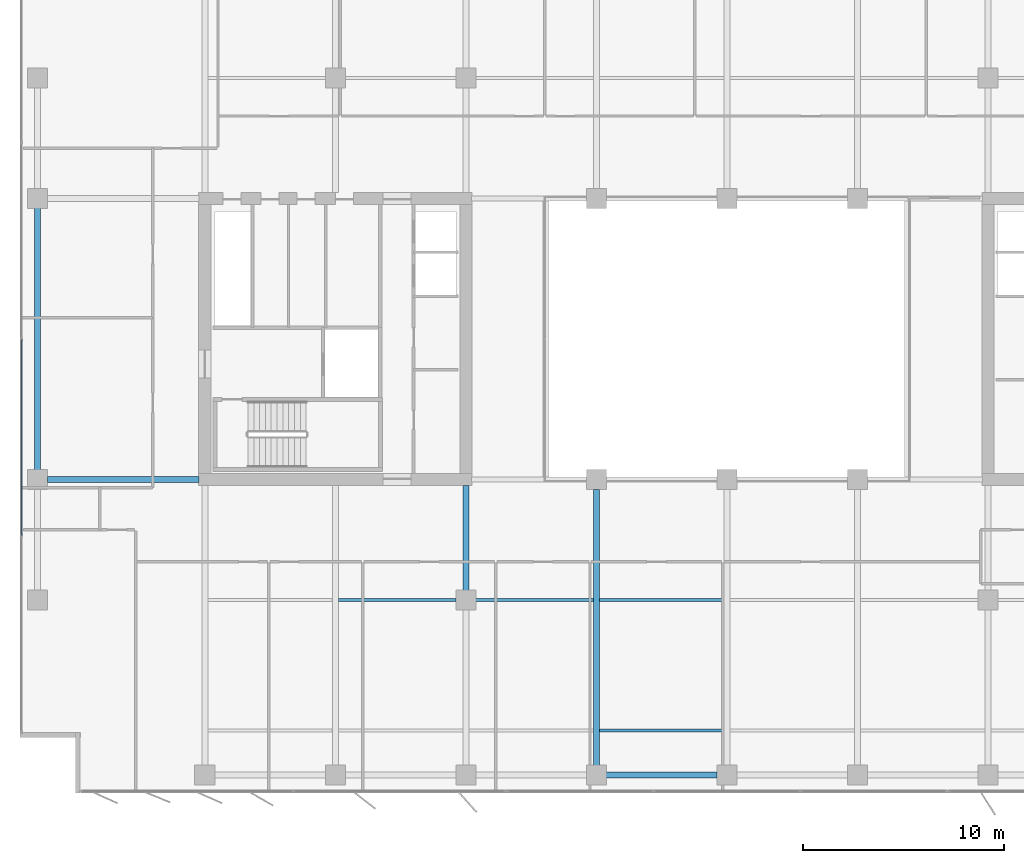
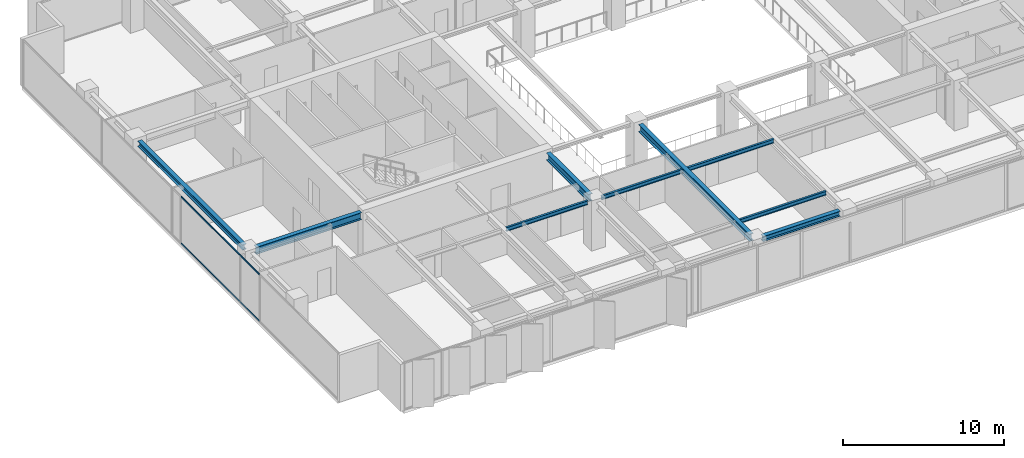
# One storey, part 3 of 22: 9 beams, 2 members, 1 element without a shape of its own.
"""IFC4 building model written with IfcOpenShell, lengths in metres."""

from ifc_helpers import new_model, si_unit, direction, frame, origin, origin_2d, place, context, subcontext, project, spatial, rectangle, i_section, extrude, material, layer, layer_set, material_profile, profile_set, type_object, element, aggregate, save


model = new_model("IFC4")

# Units and contexts
model_context = context("Model", 3, precision=1e-05, world=origin(), true_north=direction((0.0, 1.0)))
body_context = subcontext(model_context, "Body", "Model", "MODEL_VIEW")
ifc_project = project(units=[si_unit("LENGTHUNIT", "METRE"), si_unit("AREAUNIT", "SQUARE_METRE"), si_unit("VOLUMEUNIT", "CUBIC_METRE"), si_unit("PLANEANGLEUNIT", "RADIAN"), si_unit("MASSUNIT", "GRAM", prefix="KILO")], contexts=[model_context])

# Site, building, storey
site_placement = place(None, origin())
site = spatial("IfcSite", under=ifc_project, at=site_placement, CompositionType="ELEMENT")
building_placement = place(site_placement, origin())
building = spatial("IfcBuilding", under=site, at=building_placement, Name="Putna Gate Headquarters", CompositionType="ELEMENT")
storey_placement = place(building_placement, frame((0.0, 0.0, 182.199951171875)))
storey = spatial("IfcBuildingStorey", under=building, at=storey_placement, Name="L45", CompositionType="ELEMENT", Elevation=182.199951171875)

# Beams
ifc_material_1 = material(Name="Steel S355J2", Category="steel")
ifc_material_profile_1 = material_profile(ifc_material_1, i_section(OverallWidth=0.300048828125, OverallDepth=0.550048828125, WebThickness=0.014892578125, FlangeThickness=0.029052734375, at=origin_2d()), Name="Steel S355J2")
ifc_profile_set_1 = profile_set([ifc_material_profile_1], Name="Steel S355J2")
beam_type_1 = type_object("IfcBeamType", Name="BM-GIRD-Z3-HEB550", PredefinedType="USERDEFINED", material=ifc_profile_set_1)
beam_1_placement = place(storey_placement, frame((5.16796875, 19.0, 3.297119140625), z_axis=(1.0, 0.0, 0.0), x_axis=(0.0, 1.0, 0.0)))
element("IfcBeam", 1, at=beam_1_placement, inside=storey, type_object=beam_type_1, Name="L45 West Wing Girder Y19", ObjectType="GIRDER", PredefinedType="USERDEFINED", context=body_context, shape_type="SweptSolid", body=[
    extrude(i_section(OverallWidth=0.300048828125, OverallDepth=0.550048828125, WebThickness=0.014892578125, FlangeThickness=0.029052734375, at=origin_2d()), origin(), (0.0, 0.0, 1.0), 7.547119140625),
])
beam_2_placement = place(storey_placement, frame((26.0, 13.488037109375, 3.297119140625), z_axis=(0.0, 1.0, 0.0), x_axis=(-1.0, 0.0, 0.0)))
element("IfcBeam", 2, at=beam_2_placement, inside=storey, type_object=beam_type_1, Name="L45 South Primary Girder X26-2", ObjectType="GIRDER", PredefinedType="USERDEFINED", context=body_context, shape_type="SweptSolid", body=[
    extrude(i_section(OverallWidth=0.300048828125, OverallDepth=0.550048828125, WebThickness=0.014892578125, FlangeThickness=0.029052734375, at=origin_2d()), origin(), (0.0, 0.0, 1.0), 5.22705078125),
])
beam_3_placement = place(storey_placement, frame((32.5, 4.76806640625, 3.297119140625), z_axis=(0.0, 1.0, 0.0), x_axis=(-1.0, 0.0, 0.0)))
element("IfcBeam", 3, at=beam_3_placement, inside=storey, type_object=beam_type_1, Name="L45 South Primary Girder X32", ObjectType="GIRDER", PredefinedType="USERDEFINED", context=body_context, shape_type="SweptSolid", body=[
    extrude(i_section(OverallWidth=0.300048828125, OverallDepth=0.550048828125, WebThickness=0.014892578125, FlangeThickness=0.029052734375, at=origin_2d()), origin(), (0.0, 0.0, 1.0), 13.743896484375),
])
ifc_material_profile_2 = material_profile(ifc_material_1, i_section(OverallWidth=0.14990234375, OverallDepth=0.300048828125, WebThickness=0.007080078125, FlangeThickness=0.0107421875, at=origin_2d()), Name="Steel S355J2")
ifc_profile_set_2 = profile_set([ifc_material_profile_2], Name="Steel S355J2")
beam_type_2 = type_object("IfcBeamType", Name="BM-SEC-Z3-IPE300", PredefinedType="JOIST", material=ifc_profile_set_2)
for number, where, z_axis, x_axis, name in (
    (4, (19.654052734375, 13.0, 3.422119140625), (1.0, 0.0, 0.0), (0.0, 1.0, 0.0), "L45 South Secondary Beam 2"),
    (5, (26.488037109375, 13.0, 3.422119140625), (1.0, 0.0, 0.0), (0.0, 1.0, 0.0), "L45 South Secondary Beam 3"),
):
    element("IfcBeam", number, at=place(storey_placement, frame(where, z_axis=z_axis, x_axis=x_axis)), inside=storey, type_object=beam_type_2, Name=name, PredefinedType="JOIST", context=body_context, shape_type="SweptSolid", body=[
        extrude(i_section(OverallWidth=0.14990234375, OverallDepth=0.300048828125, WebThickness=0.007080078125, FlangeThickness=0.0107421875, at=origin_2d()), origin(), (0.0, 0.0, 1.0), 5.85791015625),
    ])
for number, where, z_axis, x_axis, name in (
    (6, (32.654052734375, 6.5, 3.422119140625), (1.0, 0.0, 0.0), (0.0, 1.0, 0.0), "L45 South Secondary Beam 4"),
    (7, (32.654052734375, 13.0, 3.422119140625), (1.0, 0.0, 0.0), (0.0, 1.0, 0.0), "L45 South Secondary Beam 4"),
):
    element("IfcBeam", number, at=place(storey_placement, frame(where, z_axis=z_axis, x_axis=x_axis)), inside=storey, type_object=beam_type_2, Name=name, PredefinedType="JOIST", context=body_context, shape_type="SweptSolid", body=[
        extrude(i_section(OverallWidth=0.14990234375, OverallDepth=0.300048828125, WebThickness=0.007080078125, FlangeThickness=0.0107421875, at=origin_2d()), origin(), (0.0, 0.0, 1.0), 6.19189453125),
    ])
ifc_material_profile_3 = material_profile(ifc_material_1, i_section(OverallWidth=0.300048828125, OverallDepth=0.39990234375, WebThickness=0.013427734375, FlangeThickness=0.02392578125, at=origin_2d()), Name="Steel S355J2")
ifc_profile_set_3 = profile_set([ifc_material_profile_3], Name="Steel S355J2")
beam_type_3 = type_object("IfcBeamType", Name="BM-SPAN-Z3-HEB400", PredefinedType="SPANDREL", material=ifc_profile_set_3)
beam_4_placement = place(storey_placement, frame((32.988037109375, 4.280029296875, 3.3720703125), z_axis=(1.0, 0.0, 0.0), x_axis=(0.0, 1.0, 0.0)))
element("IfcBeam", 8, at=beam_4_placement, inside=storey, type_object=beam_type_3, Name="L45 S Perimeter Spandrel 4", PredefinedType="SPANDREL", context=body_context, shape_type="SweptSolid", body=[
    extrude(i_section(OverallWidth=0.300048828125, OverallDepth=0.39990234375, WebThickness=0.013427734375, FlangeThickness=0.02392578125, at=origin_2d()), origin(), (0.0, 0.0, 1.0), 5.52392578125),
])
beam_5_placement = place(storey_placement, frame((4.679931640625, 19.488037109375, 3.3720703125), z_axis=(0.0, 1.0, 0.0), x_axis=(-1.0, 0.0, 0.0)))
element("IfcBeam", 9, at=beam_5_placement, inside=storey, type_object=beam_type_3, Name="L45 W End Spandrel 2", PredefinedType="SPANDREL", context=body_context, shape_type="SweptSolid", body=[
    extrude(i_section(OverallWidth=0.300048828125, OverallDepth=0.39990234375, WebThickness=0.013427734375, FlangeThickness=0.02392578125, at=origin_2d()), origin(), (0.0, 0.0, 1.0), 13.02392578125),
])

# Curtain wall, members
ifc_material_2 = material(Name="Anodised bronze aluminium curtain wall", Category="aluminium")
ifc_layer = layer(ifc_material_2, 0.159912109375)
ifc_layer_set = layer_set([ifc_layer], Name="Anodised bronze aluminium curtain wall")
curtain_wall_type = type_object("IfcCurtainWallType", Name="CW-SYS-Z3", PredefinedType="USERDEFINED", material=ifc_layer_set)
curtain_wall_placement = place(storey_placement, origin())
curtain_wall = element("IfcCurtainWall", 10, at=curtain_wall_placement, inside=storey, type_object=curtain_wall_type, Name="L45 West Curtain Wall", ObjectType="STICK CURTAIN WALL", PredefinedType="USERDEFINED")
ifc_material_3 = material(Name="Anodised bronze aluminium EN AW-6060", Category="aluminium")
ifc_material_profile_4 = material_profile(ifc_material_3, rectangle(XDim=0.06005859375, YDim=0.10009765625, at=origin_2d()), Name="Anodised bronze aluminium EN AW-6060")
ifc_profile_set_4 = profile_set([ifc_material_profile_4], Name="Anodised bronze aluminium EN AW-6060")
member_type = type_object("IfcMemberType", Name="TRAN-CWT-3", PredefinedType="USERDEFINED", material=ifc_profile_set_4)
member_1_placement = place(storey_placement, frame((3.8798828125, 16.232421875, 0.030029296875), z_axis=(0.0, 1.0, 0.0), x_axis=(-1.0, 0.0, 0.0)))
member_1 = element("IfcMember", 11, at=member_1_placement, type_object=member_type, Name="CWS-3 transom 2.1", ObjectType="TRANSOM", PredefinedType="USERDEFINED", context=body_context, shape_type="SweptSolid", body=[
    extrude(rectangle(XDim=0.06005859375, YDim=0.10009765625, at=origin_2d()), origin(), (0.0, 0.0, 1.0), 9.735107421875),
])
member_2_placement = place(storey_placement, frame((3.8798828125, 16.232421875, 3.5419921875), z_axis=(0.0, 1.0, 0.0), x_axis=(-1.0, 0.0, 0.0)))
member_2 = element("IfcMember", 12, at=member_2_placement, type_object=member_type, Name="CWS-3 transom 2.2", ObjectType="TRANSOM", PredefinedType="USERDEFINED", context=body_context, shape_type="SweptSolid", body=[
    extrude(rectangle(XDim=0.06005859375, YDim=0.10009765625, at=origin_2d()), origin(), (0.0, 0.0, 1.0), 9.735107421875),
])
aggregate(curtain_wall, [member_1, member_2])

save(model, "model.ifc")
